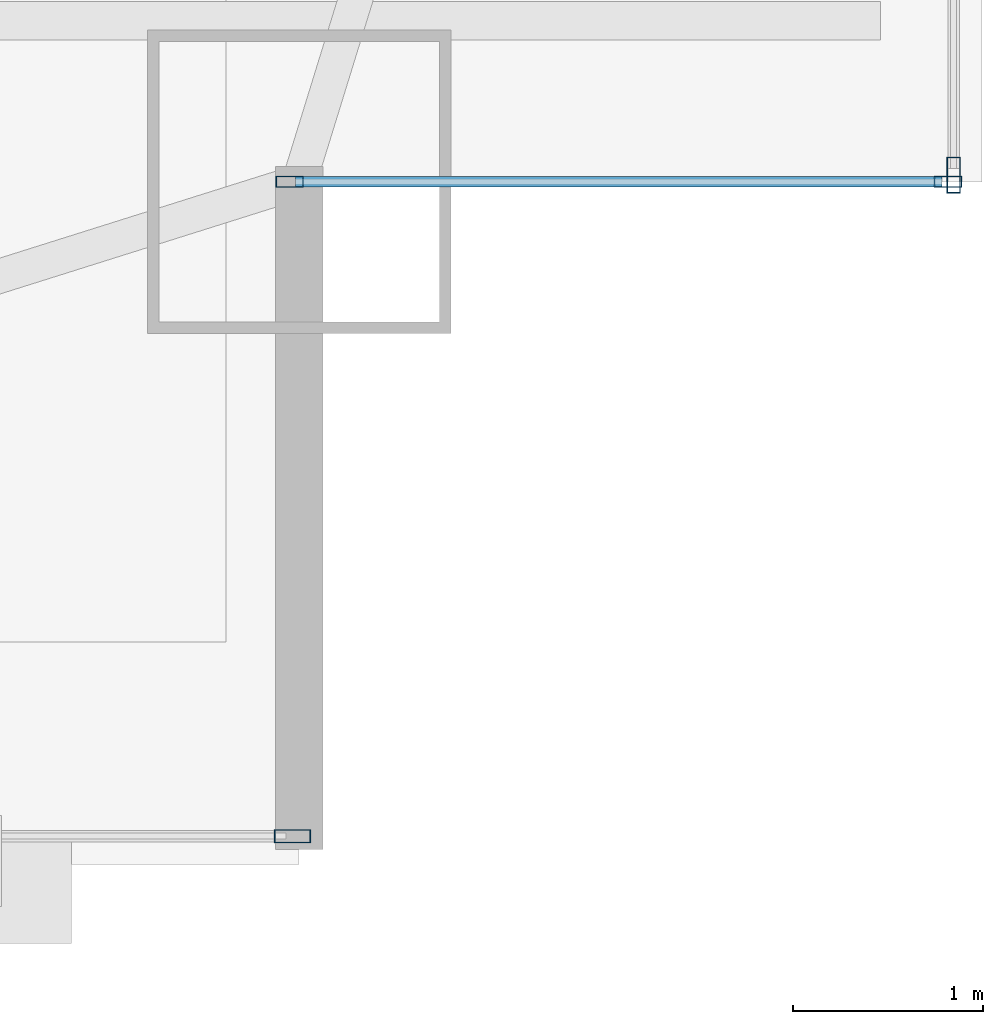
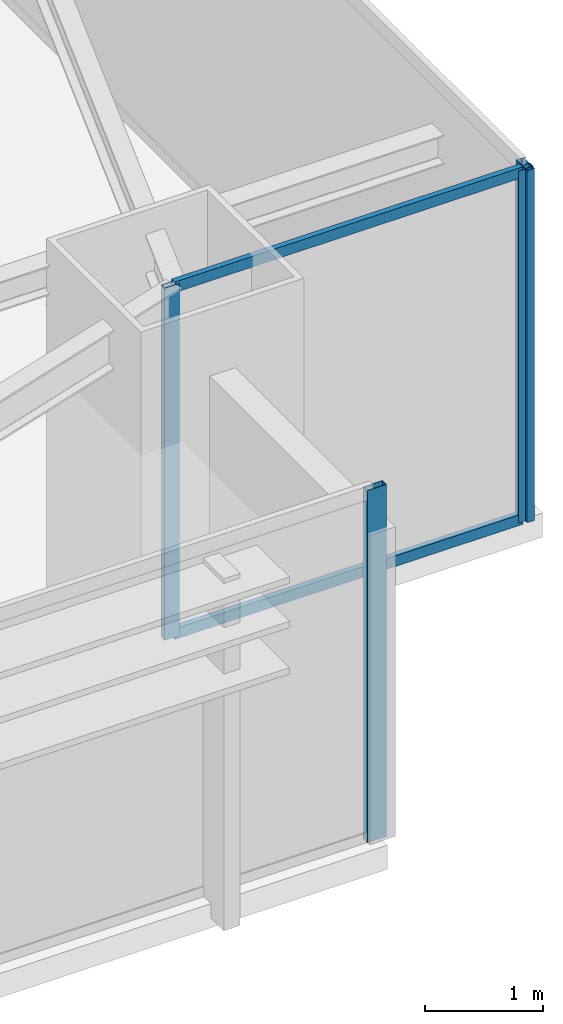
# One storey, part 15 of 35: 6 members, 3 elements without a shape of their own.
"""IFC4 building model written with IfcOpenShell, lengths in metres."""

from ifc_helpers import new_model, si_unit, direction, frame, origin, origin_2d, place, context, subcontext, project, spatial, hollow_rectangle, extrude, source, transform, mapped, material, layer, layer_set, material_profile, profile_set, type_object, type_shapes, element, aggregate, save


model = new_model("IFC4")

# Units and contexts
model_context = context("Model", 3, precision=1e-05, world=origin(), true_north=direction((0.0, 1.0)))
body_context = subcontext(model_context, "Body", "Model", "MODEL_VIEW")
ifc_project = project(units=[si_unit("LENGTHUNIT", "METRE"), si_unit("AREAUNIT", "SQUARE_METRE"), si_unit("VOLUMEUNIT", "CUBIC_METRE"), si_unit("PLANEANGLEUNIT", "RADIAN"), si_unit("MASSUNIT", "GRAM", prefix="KILO")], contexts=[model_context])

# Site, building, storey
site_placement = place(None, origin())
site = spatial("IfcSite", under=ifc_project, at=site_placement, CompositionType="ELEMENT")
building_placement = place(site_placement, origin())
building = spatial("IfcBuilding", under=site, at=building_placement, Name="Varnel Quay Broadcast Tower", CompositionType="ELEMENT")
storey_placement = place(building_placement, frame((0.0, 0.0, 66.60009765625)))
storey = spatial("IfcBuildingStorey", under=building, at=storey_placement, Name="L15", CompositionType="ELEMENT", Elevation=66.60009765625)

# Curtain wall, member
ifc_material = material(Name="Anodised Bronze Aluminium 6063-T6", Category="aluminium")
ifc_layer_1 = layer(ifc_material, 0.18994140625, Name="Anodised Bronze Aluminium 6063-T6")
ifc_layer_set_1 = layer_set([ifc_layer_1], Name="Anodised Bronze Aluminium 6063-T6")
curtain_wall_type_1 = type_object("IfcCurtainWallType", Name="CW_LowerTower", PredefinedType="NOTDEFINED", material=ifc_layer_set_1)
curtain_wall_1_placement = place(storey_placement, origin())
curtain_wall_1 = element("IfcCurtainWall", 1, at=curtain_wall_1_placement, inside=storey, type_object=curtain_wall_type_1, Name="L15 South Unitised Curtain Wall 3", PredefinedType="NOTDEFINED")
ifc_material_profile_1 = material_profile(ifc_material, hollow_rectangle(XDim=0.070068359375, YDim=0.18994140625, WallThickness=0.00390625, at=origin_2d()), Name="ALU70X190X4")
ifc_profile_set_1 = profile_set([ifc_material_profile_1], Name="Anodised Bronze Aluminium 6063-T6")
member_type_1 = type_object("IfcMemberType", Name="Mull_CWS-02", PredefinedType="MULLION", material=ifc_profile_set_1)
shared_shape_1 = source(origin(), body_context, "Body", "SweptSolid", [
    extrude(hollow_rectangle(XDim=0.070068359375, YDim=0.18994140625, WallThickness=0.00390625, at=origin_2d()), origin(), (0.0, 0.0, 1.0), 3.64990234375),
])
type_shapes(member_type_1, [shared_shape_1])
member_1_placement = place(storey_placement, frame((62.364990234375, 1.35009765625, 0.0), z_axis=(0.0, 0.0, 1.0), x_axis=(0.0, 1.0, 0.0)))
member_1 = element("IfcMember", 2, at=member_1_placement, type_object=member_type_1, Name="CWS-02 mullion 2", PredefinedType="MULLION", context=body_context, shape_type="MappedRepresentation", body=[
    mapped(shared_shape_1, transform((0.0, 0.0, 0.0), x_axis=(1.0, 0.0, 0.0), y_axis=(0.0, 1.0, 0.0), z_axis=(0.0, 0.0, 1.0), scale=1.0)),
])
aggregate(curtain_wall_1, [member_1])

curtain_wall_2_placement = place(storey_placement, origin())
curtain_wall_2 = element("IfcCurtainWall", 3, at=curtain_wall_2_placement, inside=storey, type_object=curtain_wall_type_1, Name="L15 East Unitised Curtain Wall", PredefinedType="NOTDEFINED")
member_2_placement = place(storey_placement, frame((65.85009765625, 4.8349609375, 0.0), z_axis=(0.0, 0.0, 1.0), x_axis=(-1.0, 0.0, 0.0)))
member_2 = element("IfcMember", 4, at=member_2_placement, type_object=member_type_1, Name="CWS-02 mullion 1", PredefinedType="MULLION", context=body_context, shape_type="MappedRepresentation", body=[
    mapped(shared_shape_1, transform((0.0, 0.0, 0.0), x_axis=(1.0, 0.0, 0.0), y_axis=(0.0, 1.0, 0.0), z_axis=(0.0, 0.0, 1.0), scale=1.0)),
])
aggregate(curtain_wall_2, [member_2])

# Curtain wall, members
ifc_layer_2 = layer(ifc_material, 0.18994140625, Name="Anodised Bronze Aluminium 6063-T6")
ifc_layer_set_2 = layer_set([ifc_layer_2], Name="Anodised Bronze Aluminium 6063-T6")
curtain_wall_type_2 = type_object("IfcCurtainWallType", Name="CW_NotchCorner", PredefinedType="NOTDEFINED", material=ifc_layer_set_2)
curtain_wall_3_placement = place(storey_placement, origin())
curtain_wall_3 = element("IfcCurtainWall", 5, at=curtain_wall_3_placement, inside=storey, type_object=curtain_wall_type_2, Name="L15 SE Notch Curtain Wall", PredefinedType="NOTDEFINED")
ifc_material_profile_2 = material_profile(ifc_material, hollow_rectangle(XDim=0.06005859375, YDim=0.14501953125, WallThickness=0.00341796875, at=origin_2d()), Name="ALU60X145X3.5")
ifc_profile_set_2 = profile_set([ifc_material_profile_2], Name="Anodised Bronze Aluminium 6063-T6")
member_type_2 = type_object("IfcMemberType", Name="Mull_CWS-04", PredefinedType="MULLION", material=ifc_profile_set_2)
shared_shape_2 = source(origin(), body_context, "Body", "SweptSolid", [
    extrude(hollow_rectangle(XDim=0.06005859375, YDim=0.14501953125, WallThickness=0.00341796875, at=origin_2d()), origin(), (0.0, 0.0, 1.0), 3.64990234375),
])
type_shapes(member_type_2, [shared_shape_2])
member_3_placement = place(storey_placement, frame((62.35009765625, 4.800048828125, 0.0), z_axis=(0.0, 0.0, 1.0), x_axis=(0.0, 1.0, 0.0)))
member_3 = element("IfcMember", 6, at=member_3_placement, type_object=member_type_2, Name="CWS-04 mullion 1", PredefinedType="MULLION", context=body_context, shape_type="MappedRepresentation", body=[
    mapped(shared_shape_2, transform((0.0, 0.0, 0.0), x_axis=(1.0, 0.0, 0.0), y_axis=(0.0, 1.0, 0.0), z_axis=(0.0, 0.0, 1.0), scale=1.0)),
])
member_4_placement = place(storey_placement, frame((65.820068359375, 4.800048828125, 0.0), z_axis=(0.0, 0.0, 1.0), x_axis=(0.0, 1.0, 0.0)))
member_4 = element("IfcMember", 7, at=member_4_placement, type_object=member_type_2, Name="CWS-04 mullion 2", PredefinedType="MULLION", context=body_context, shape_type="MappedRepresentation", body=[
    mapped(shared_shape_2, transform((0.0, 0.0, 0.0), x_axis=(1.0, 0.0, 0.0), y_axis=(0.0, 1.0, 0.0), z_axis=(0.0, 0.0, 1.0), scale=1.0)),
])
ifc_material_profile_3 = material_profile(ifc_material, hollow_rectangle(XDim=0.054931640625, YDim=0.110107421875, WallThickness=0.0029296875, at=origin_2d()), Name="ALU55X110X3")
ifc_profile_set_3 = profile_set([ifc_material_profile_3], Name="Anodised Bronze Aluminium 6063-T6")
member_type_3 = type_object("IfcMemberType", Name="Tran_CWS-04", PredefinedType="USERDEFINED", material=ifc_profile_set_3)
shared_shape_3 = source(origin(), body_context, "Body", "SweptSolid", [
    extrude(hollow_rectangle(XDim=0.054931640625, YDim=0.110107421875, WallThickness=0.0029296875, at=origin_2d()), origin(), (0.0, 0.0, 1.0), 3.41015625),
])
type_shapes(member_type_3, [shared_shape_3])
member_5_placement = place(storey_placement, frame((62.3798828125, 4.800048828125, 0.02734375), z_axis=(1.0, 0.0, 0.0), x_axis=(0.0, 1.0, 0.0)))
member_5 = element("IfcMember", 8, at=member_5_placement, type_object=member_type_3, Name="CWS-04 transom 1.1", ObjectType="TRANSOM", PredefinedType="USERDEFINED", context=body_context, shape_type="MappedRepresentation", body=[
    mapped(shared_shape_3, transform((0.0, 0.0, 0.0), x_axis=(1.0, 0.0, 0.0), y_axis=(0.0, 1.0, 0.0), z_axis=(0.0, 0.0, 1.0), scale=1.0)),
])
member_6_placement = place(storey_placement, frame((62.3798828125, 4.800048828125, 3.622314453125), z_axis=(1.0, 0.0, 0.0), x_axis=(0.0, 1.0, 0.0)))
member_6 = element("IfcMember", 9, at=member_6_placement, type_object=member_type_3, Name="CWS-04 transom 1.2", ObjectType="TRANSOM", PredefinedType="USERDEFINED", context=body_context, shape_type="MappedRepresentation", body=[
    mapped(shared_shape_3, transform((0.0, 0.0, 0.0), x_axis=(1.0, 0.0, 0.0), y_axis=(0.0, 1.0, 0.0), z_axis=(0.0, 0.0, 1.0), scale=1.0)),
])
aggregate(curtain_wall_3, [member_3, member_4, member_5, member_6])

save(model, "model.ifc")
